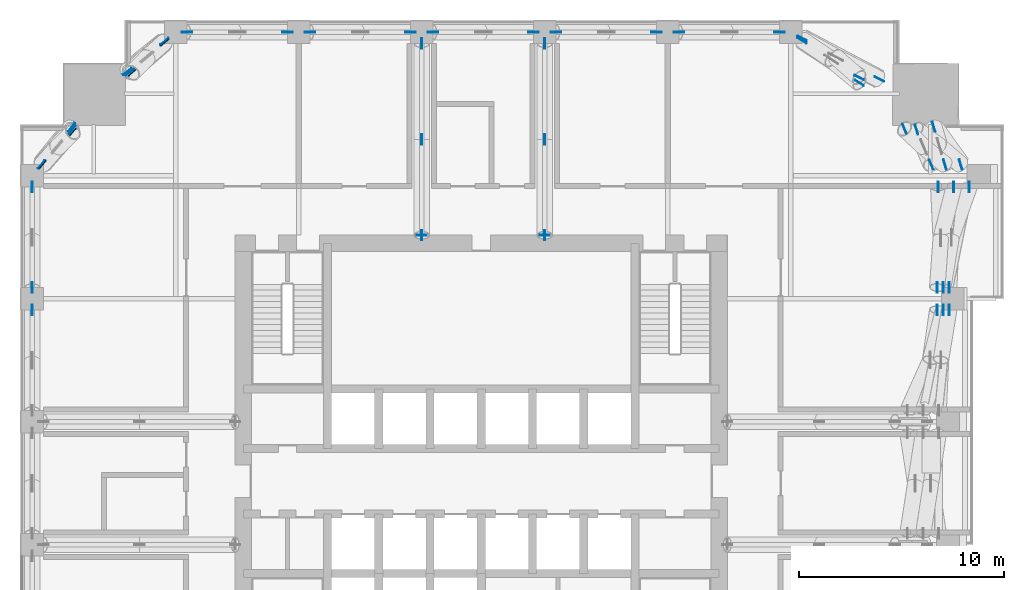
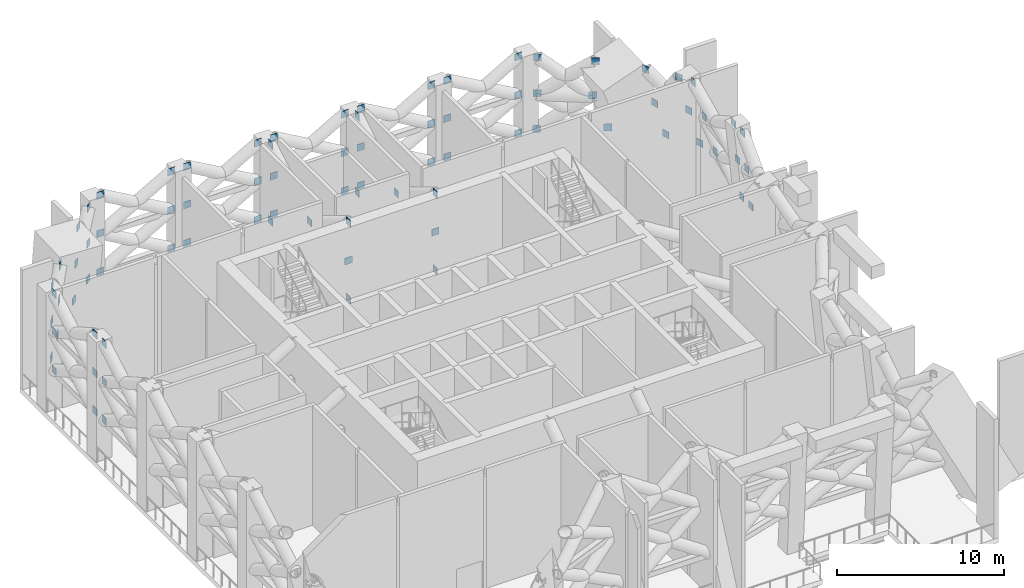
# One storey, part 14 of 19: 84 discrete accessories.
"""IFC4 building model written with IfcOpenShell, lengths in metres."""

from ifc_helpers import new_model, si_unit, direction, frame, origin, origin_2d, place, context, subcontext, project, spatial, rectangle, extrude, element, save


model = new_model("IFC4")

# Units and contexts
model_context = context("Model", 3, precision=1e-05, world=origin(), true_north=direction((0.0, 1.0)))
body_context = subcontext(model_context, "Body", "Model", "MODEL_VIEW")
ifc_project = project(units=[si_unit("LENGTHUNIT", "METRE"), si_unit("AREAUNIT", "SQUARE_METRE"), si_unit("VOLUMEUNIT", "CUBIC_METRE"), si_unit("PLANEANGLEUNIT", "RADIAN"), si_unit("MASSUNIT", "GRAM", prefix="KILO")], contexts=[model_context])

# Site, building, storey
site_placement = place(None, origin())
site = spatial("IfcSite", under=ifc_project, at=site_placement, CompositionType="ELEMENT")
building_placement = place(site_placement, origin())
building = spatial("IfcBuilding", under=site, at=building_placement, Name="Amberfall Residences", CompositionType="ELEMENT")
storey_placement = place(building_placement, frame((0.0, 0.0, 124.89990234375)))
storey = spatial("IfcBuildingStorey", under=building, at=storey_placement, Name="L34", CompositionType="ELEMENT", Elevation=124.89990234375)

# Discrete accessories
discrete_accessory_1_placement = place(storey_placement, frame((71.60009765625, 57.5, 5.4501953125), z_axis=(0.0, 0.0, 1.0), x_axis=(0.0, 1.0, 0.0)))
element("IfcDiscreteAccessory", 1, at=discrete_accessory_1_placement, inside=storey, Name="Cast-in plate L34", PredefinedType="BRACKET", context=body_context, shape_type="SweptSolid", body=[
    extrude(rectangle(XDim=0.0400390625, YDim=0.5, at=origin_2d()), origin(), (0.0, 0.0, 1.0), 0.5),
])
for number, where, z_axis, x_axis, name in (
    (2, (71.60009765625, 66.85009765625, 2.650146484375), (0.0, 0.0, 1.0), (0.0, 1.0, 0.0), "Connection plate L34"),
    (3, (71.60009765625, 62.175048828125, 5.4501953125), (0.0, 0.0, 1.0), (0.0, 1.0, 0.0), "Connection plate L34"),
    (4, (71.60009765625, 57.5, 2.650146484375), (0.0, 0.0, 1.0), (0.0, 1.0, 0.0), "Connection plate L34"),
    (5, (71.60009765625, 66.85009765625, 8.25), (0.0, 0.0, 1.0), (0.0, 1.0, 0.0), "Connection plate L34"),
    (6, (71.60009765625, 57.5, 8.25), (0.0, 0.0, 1.0), (0.0, 1.0, 0.0), "Connection plate L34"),
):
    element("IfcDiscreteAccessory", number, at=place(storey_placement, frame(where, z_axis=z_axis, x_axis=x_axis)), inside=storey, Name=name, PredefinedType="BRACKET", context=body_context, shape_type="SweptSolid", body=[
        extrude(rectangle(XDim=0.5, YDim=0.0400390625, at=origin_2d()), origin(), (0.0, 0.0, 1.0), 0.5),
    ])
discrete_accessory_2_placement = place(storey_placement, frame((77.60009765625, 57.5, 5.4501953125), z_axis=(0.0, 0.0, 1.0), x_axis=(0.0, 1.0, 0.0)))
element("IfcDiscreteAccessory", 7, at=discrete_accessory_2_placement, inside=storey, Name="Cast-in plate L34", PredefinedType="BRACKET", context=body_context, shape_type="SweptSolid", body=[
    extrude(rectangle(XDim=0.0400390625, YDim=0.5, at=origin_2d()), origin(), (0.0, 0.0, 1.0), 0.5),
])
for number, where, z_axis, x_axis, name in (
    (8, (77.60009765625, 66.85009765625, 2.650146484375), (0.0, 0.0, 1.0), (0.0, 1.0, 0.0), "Connection plate L34"),
    (9, (77.60009765625, 62.175048828125, 5.4501953125), (0.0, 0.0, 1.0), (0.0, 1.0, 0.0), "Connection plate L34"),
    (10, (77.60009765625, 57.5, 2.650146484375), (0.0, 0.0, 1.0), (0.0, 1.0, 0.0), "Connection plate L34"),
    (11, (77.60009765625, 66.85009765625, 8.25), (0.0, 0.0, 1.0), (0.0, 1.0, 0.0), "Connection plate L34"),
    (12, (77.60009765625, 57.5, 8.25), (0.0, 0.0, 1.0), (0.0, 1.0, 0.0), "Connection plate L34"),
    (13, (97.03369140625, 53.85009765625, 5.4501953125), (0.0, 0.0, 1.0), (0.0, 1.0, 0.0), "Connection plate L34"),
    (14, (97.321533203125, 53.85009765625, 2.650146484375), (0.0, 0.0, 1.0), (0.0, 1.0, 0.0), "Connection plate L34"),
    (15, (96.74560546875, 53.85009765625, 8.25), (0.0, 0.0, 1.0), (0.0, 1.0, 0.0), "Connection plate L34"),
    (16, (97.321533203125, 54.949951171875, 2.650146484375), (0.0, 0.0, 1.0), (0.0, 1.0, 0.0), "Connection plate L34"),
    (17, (97.55322265625, 59.85009765625, 5.4501953125), (0.0, 0.0, 1.0), (0.0, 1.0, 0.0), "Connection plate L34"),
    (18, (97.03369140625, 54.949951171875, 5.4501953125), (0.0, 0.0, 1.0), (0.0, 1.0, 0.0), "Connection plate L34"),
    (19, (98.310302734375, 59.85009765625, 2.650146484375), (0.0, 0.0, 1.0), (0.0, 1.0, 0.0), "Connection plate L34"),
    (20, (96.79638671875, 59.85009765625, 8.25), (0.0, 0.0, 1.0), (0.0, 1.0, 0.0), "Connection plate L34"),
    (21, (96.74560546875, 54.949951171875, 8.25), (0.0, 0.0, 1.0), (0.0, 1.0, 0.0), "Connection plate L34"),
    (22, (60.14990234375, 67.39990234375, 2.650146484375), (0.0, 0.0, 1.0), (1.0, 0.0, 0.0), "Connection plate L34"),
    (23, (65.050048828125, 67.39990234375, 5.4501953125), (0.0, 0.0, 1.0), (1.0, 0.0, 0.0), "Connection plate L34"),
    (24, (60.14990234375, 67.39990234375, 5.4501953125), (0.0, 0.0, 1.0), (1.0, 0.0, 0.0), "Connection plate L34"),
    (25, (65.050048828125, 67.39990234375, 2.650146484375), (0.0, 0.0, 1.0), (1.0, 0.0, 0.0), "Connection plate L34"),
    (26, (65.050048828125, 67.39990234375, 8.25), (0.0, 0.0, 1.0), (1.0, 0.0, 0.0), "Connection plate L34"),
    (27, (60.14990234375, 67.39990234375, 8.25), (0.0, 0.0, 1.0), (1.0, 0.0, 0.0), "Connection plate L34"),
    (28, (66.14990234375, 67.39990234375, 2.650146484375), (0.0, 0.0, 1.0), (1.0, 0.0, 0.0), "Connection plate L34"),
    (29, (71.050048828125, 67.39990234375, 5.4501953125), (0.0, 0.0, 1.0), (1.0, 0.0, 0.0), "Connection plate L34"),
    (30, (66.14990234375, 67.39990234375, 5.4501953125), (0.0, 0.0, 1.0), (1.0, 0.0, 0.0), "Connection plate L34"),
    (31, (71.050048828125, 67.39990234375, 2.650146484375), (0.0, 0.0, 1.0), (1.0, 0.0, 0.0), "Connection plate L34"),
    (32, (71.050048828125, 67.39990234375, 8.25), (0.0, 0.0, 1.0), (1.0, 0.0, 0.0), "Connection plate L34"),
    (33, (66.14990234375, 67.39990234375, 8.25), (0.0, 0.0, 1.0), (1.0, 0.0, 0.0), "Connection plate L34"),
    (34, (72.14990234375, 67.39990234375, 2.650146484375), (0.0, 0.0, 1.0), (1.0, 0.0, 0.0), "Connection plate L34"),
    (35, (77.050048828125, 67.39990234375, 5.4501953125), (0.0, 0.0, 1.0), (1.0, 0.0, 0.0), "Connection plate L34"),
    (36, (72.14990234375, 67.39990234375, 5.4501953125), (0.0, 0.0, 1.0), (1.0, 0.0, 0.0), "Connection plate L34"),
    (37, (77.050048828125, 67.39990234375, 2.650146484375), (0.0, 0.0, 1.0), (1.0, 0.0, 0.0), "Connection plate L34"),
    (38, (77.050048828125, 67.39990234375, 8.25), (0.0, 0.0, 1.0), (1.0, 0.0, 0.0), "Connection plate L34"),
    (39, (72.14990234375, 67.39990234375, 8.25), (0.0, 0.0, 1.0), (1.0, 0.0, 0.0), "Connection plate L34"),
    (40, (78.14990234375, 67.39990234375, 2.650146484375), (0.0, 0.0, 1.0), (1.0, 0.0, 0.0), "Connection plate L34"),
    (41, (83.050048828125, 67.39990234375, 5.4501953125), (0.0, 0.0, 1.0), (1.0, 0.0, 0.0), "Connection plate L34"),
    (42, (78.14990234375, 67.39990234375, 5.4501953125), (0.0, 0.0, 1.0), (1.0, 0.0, 0.0), "Connection plate L34"),
    (43, (83.050048828125, 67.39990234375, 2.650146484375), (0.0, 0.0, 1.0), (1.0, 0.0, 0.0), "Connection plate L34"),
    (44, (83.050048828125, 67.39990234375, 8.25), (0.0, 0.0, 1.0), (1.0, 0.0, 0.0), "Connection plate L34"),
    (45, (78.14990234375, 67.39990234375, 8.25), (0.0, 0.0, 1.0), (1.0, 0.0, 0.0), "Connection plate L34"),
    (46, (84.14990234375, 67.39990234375, 2.650146484375), (0.0, 0.0, 1.0), (1.0, 0.0, 0.0), "Connection plate L34"),
    (47, (89.050048828125, 67.39990234375, 5.4501953125), (0.0, 0.0, 1.0), (1.0, 0.0, 0.0), "Connection plate L34"),
    (48, (84.14990234375, 67.39990234375, 5.4501953125), (0.0, 0.0, 1.0), (1.0, 0.0, 0.0), "Connection plate L34"),
    (49, (89.050048828125, 67.39990234375, 2.650146484375), (0.0, 0.0, 1.0), (1.0, 0.0, 0.0), "Connection plate L34"),
    (50, (89.050048828125, 67.39990234375, 8.25), (0.0, 0.0, 1.0), (1.0, 0.0, 0.0), "Connection plate L34"),
    (51, (84.14990234375, 67.39990234375, 8.25), (0.0, 0.0, 1.0), (1.0, 0.0, 0.0), "Connection plate L34"),
    (52, (52.60009765625, 53.85009765625, 5.4501953125), (0.0, 0.0, 1.0), (0.0, 1.0, 0.0), "Connection plate L34"),
    (53, (52.60009765625, 53.85009765625, 2.650146484375), (0.0, 0.0, 1.0), (0.0, 1.0, 0.0), "Connection plate L34"),
    (54, (52.60009765625, 53.85009765625, 8.25), (0.0, 0.0, 1.0), (0.0, 1.0, 0.0), "Connection plate L34"),
    (55, (52.60009765625, 54.949951171875, 2.650146484375), (0.0, 0.0, 1.0), (0.0, 1.0, 0.0), "Connection plate L34"),
    (56, (52.60009765625, 59.85009765625, 5.4501953125), (0.0, 0.0, 1.0), (0.0, 1.0, 0.0), "Connection plate L34"),
    (57, (52.60009765625, 54.949951171875, 5.4501953125), (0.0, 0.0, 1.0), (0.0, 1.0, 0.0), "Connection plate L34"),
    (58, (52.60009765625, 59.85009765625, 2.650146484375), (0.0, 0.0, 1.0), (0.0, 1.0, 0.0), "Connection plate L34"),
    (59, (52.60009765625, 59.85009765625, 8.25), (0.0, 0.0, 1.0), (0.0, 1.0, 0.0), "Connection plate L34"),
    (60, (52.60009765625, 54.949951171875, 8.25), (0.0, 0.0, 1.0), (0.0, 1.0, 0.0), "Connection plate L34"),
    (61, (96.57568359375, 62.7841796875, 2.75), (0.0, 0.0, 1.0), (0.284684657889, -0.95862122111, 0.0), "Connection plate L34"),
    (62, (97.120361328125, 60.949951171875, 5.396484375), (0.0, 0.0, 1.0), (0.284684657889, -0.95862122111, 0.0), "Connection plate L34"),
    (63, (95.737548828125, 62.64990234375, 5.396484375), (0.0, 0.0, 1.0), (0.284684657889, -0.95862122111, 0.0), "Connection plate L34"),
    (64, (97.889404296875, 60.949951171875, 2.75), (0.0, 0.0, 1.0), (0.284684657889, -0.95862122111, 0.0), "Connection plate L34"),
    (65, (96.451416015625, 60.949951171875, 8.04296875), (0.0, 0.0, 1.0), (0.387145495653, -0.922018636035, 0.0), "Connection plate L34"),
    (66, (95.14599609375, 62.6904296875, 8.04296875), (0.0, 0.0, 1.0), (0.387145495653, -0.922018636035, 0.0), "Connection plate L34"),
    (67, (93.914794921875, 65.11865234375, 2.75), (0.0, 0.0, 1.0), (-0.891085746907, 0.453834982851, 0.0), "Connection plate L34"),
    (68, (90.14990234375, 67.035888671875, 5.396484375), (0.0, 0.0, 1.0), (-0.891085746907, 0.453834982851, 0.0), "Connection plate L34"),
    (69, (92.934326171875, 65.193603515625, 5.396484375), (0.0, 0.0, 1.0), (-0.891085746907, 0.453834982851, 0.0), "Connection plate L34"),
    (70, (90.14990234375, 67.109130859375, 2.75), (0.0, 0.0, 1.0), (-0.891085746907, 0.453834982851, 0.0), "Connection plate L34"),
    (71, (90.14990234375, 66.993896484375, 8.04296875), (0.0, 0.0, 1.0), (-0.839771514716, 0.542939962677, 0.0), "Connection plate L34"),
    (72, (92.94970703125, 64.92578125, 8.04296875), (0.0, 0.0, 1.0), (-0.839771514716, 0.542939962677, 0.0), "Connection plate L34"),
    (73, (57.2314453125, 65.483154296875, 2.75), (0.0, 0.0, 1.0), (0.784072748669, 0.620668933325, 0.0), "Connection plate L34"),
    (74, (59.050048828125, 66.922607421875, 5.396484375), (0.0, 0.0, 1.0), (0.784072748669, 0.620668933325, 0.0), "Connection plate L34"),
    (75, (57.352783203125, 65.449462890625, 5.396484375), (0.0, 0.0, 1.0), (0.784072748669, 0.620668933325, 0.0), "Connection plate L34"),
    (76, (59.050048828125, 66.954833984375, 2.75), (0.0, 0.0, 1.0), (0.784072748669, 0.620668933325, 0.0), "Connection plate L34"),
    (77, (59.050048828125, 66.888916015625, 8.04296875), (0.0, 0.0, 1.0), (0.762679618191, 0.646776468338, 0.0), "Connection plate L34"),
    (78, (57.471923828125, 65.42236328125, 8.04296875), (0.0, 0.0, 1.0), (0.762679618191, 0.646776468338, 0.0), "Connection plate L34"),
    (79, (54.516845703125, 62.7685546875, 2.75), (0.0, 0.0, 1.0), (-0.620668933325, -0.784072748669, 0.0), "Connection plate L34"),
    (80, (53.077392578125, 60.949951171875, 5.396484375), (0.0, 0.0, 1.0), (-0.620668933325, -0.784072748669, 0.0), "Connection plate L34"),
    (81, (54.550537109375, 62.647216796875, 5.396484375), (0.0, 0.0, 1.0), (-0.620668933325, -0.784072748669, 0.0), "Connection plate L34"),
    (82, (53.045166015625, 60.949951171875, 2.75), (0.0, 0.0, 1.0), (-0.620668933325, -0.784072748669, 0.0), "Connection plate L34"),
    (83, (53.111083984375, 60.949951171875, 8.04296875), (0.0, 0.0, 1.0), (-0.646776468338, -0.762679618191, 0.0), "Connection plate L34"),
    (84, (54.57763671875, 62.528076171875, 8.04296875), (0.0, 0.0, 1.0), (-0.646776468338, -0.762679618191, 0.0), "Connection plate L34"),
):
    element("IfcDiscreteAccessory", number, at=place(storey_placement, frame(where, z_axis=z_axis, x_axis=x_axis)), inside=storey, Name=name, PredefinedType="BRACKET", context=body_context, shape_type="SweptSolid", body=[
        extrude(rectangle(XDim=0.5, YDim=0.0400390625, at=origin_2d()), origin(), (0.0, 0.0, 1.0), 0.5),
    ])

save(model, "model.ifc")
